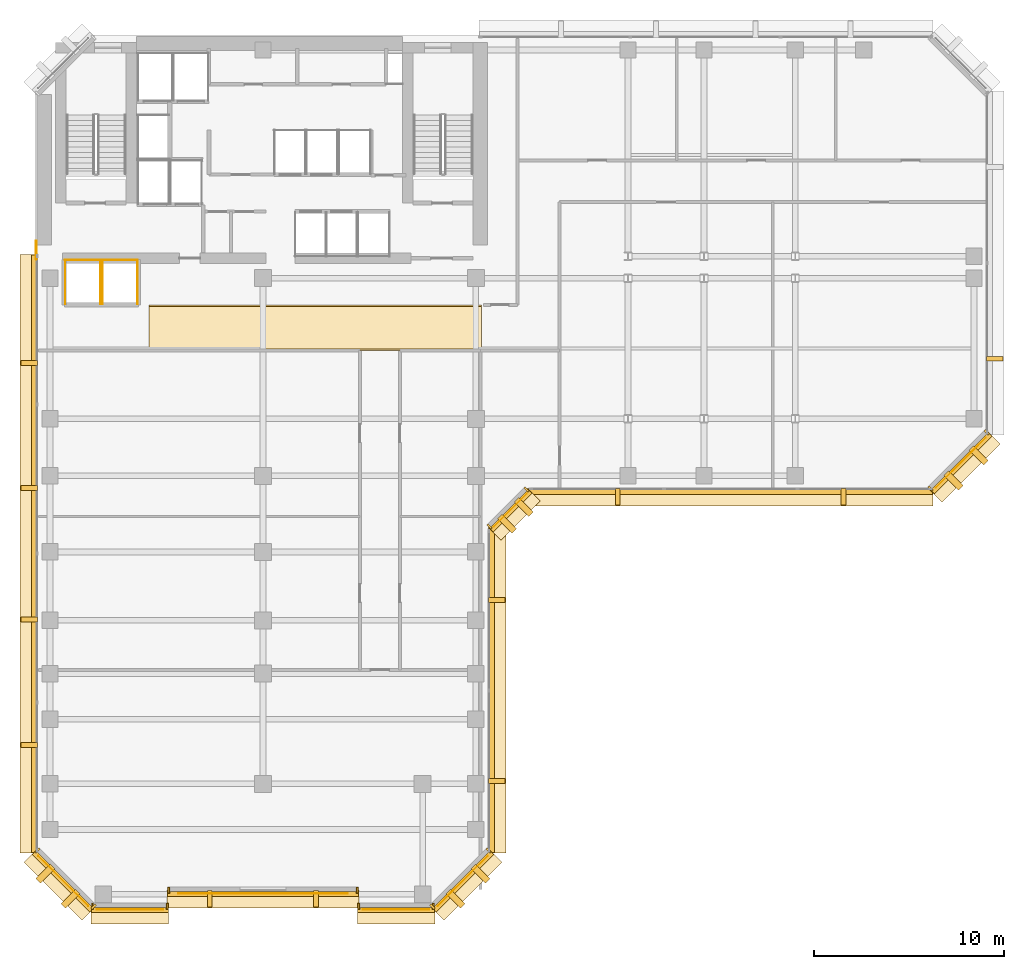
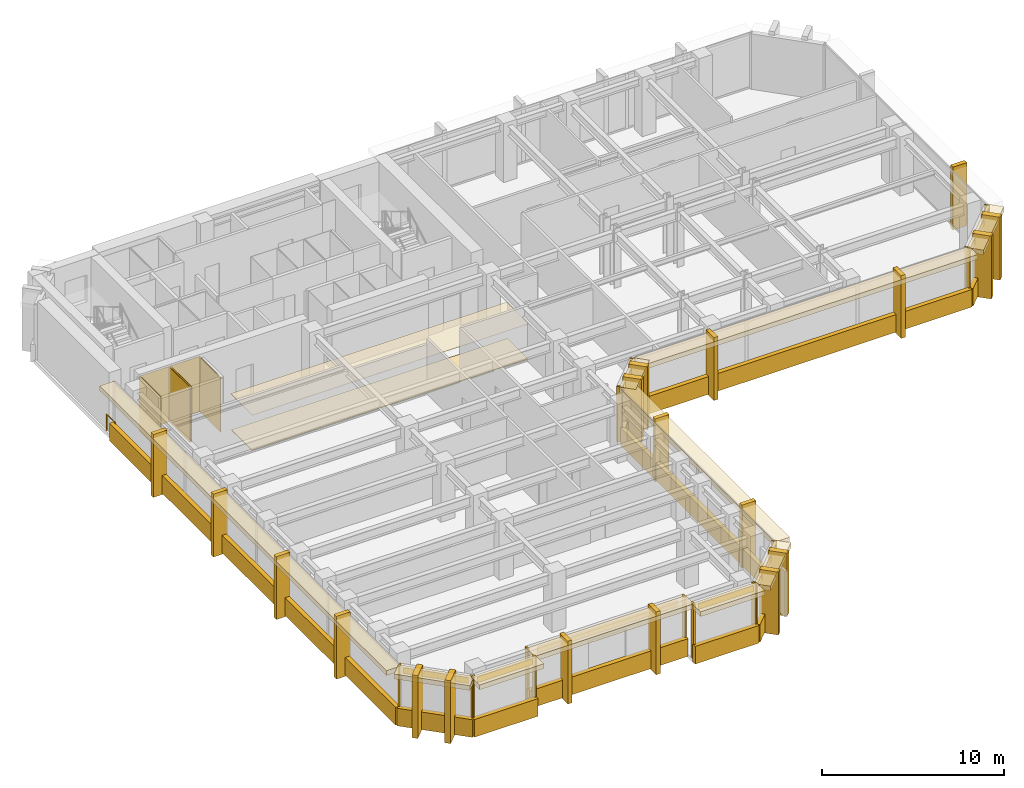
# One storey, part 9 of 11: 68 coverings, 1 railing.
"""IFC4 building model written with IfcOpenShell, lengths in metres."""

from ifc_helpers import new_model, si_unit, direction, frame, origin, origin_2d, place, context, subcontext, project, spatial, polyline, rectangle, circle, outline, extrude, material, layer, layer_set, type_object, element, save


model = new_model("IFC4")

# Units and contexts
model_context = context("Model", 3, precision=1e-05, world=origin(), true_north=direction((0.0, 1.0)))
body_context = subcontext(model_context, "Body", "Model", "MODEL_VIEW")
ifc_project = project(units=[si_unit("LENGTHUNIT", "METRE"), si_unit("AREAUNIT", "SQUARE_METRE"), si_unit("VOLUMEUNIT", "CUBIC_METRE"), si_unit("PLANEANGLEUNIT", "RADIAN"), si_unit("MASSUNIT", "GRAM", prefix="KILO")], contexts=[model_context])

# Site, building, storey
site_placement = place(None, origin())
site = spatial("IfcSite", under=ifc_project, at=site_placement, CompositionType="ELEMENT")
building_placement = place(site_placement, origin())
building = spatial("IfcBuilding", under=site, at=building_placement, Name="Kefirva Bronze Tower", CompositionType="ELEMENT")
storey_placement = place(building_placement, frame((0.0, 0.0, 183.47998046875)))
storey = spatial("IfcBuildingStorey", under=building, at=storey_placement, Name="L44", CompositionType="ELEMENT", Elevation=183.47998046875)

# Coverings
ifc_material_1 = material(Name="Acoustic mineral tile")
ifc_layer_1 = layer(ifc_material_1, 0.02490234375, Name="Acoustic mineral tile")
ifc_layer_set_1 = layer_set([ifc_layer_1], Name="Acoustic mineral tile")
covering_type_1 = type_object("IfcCoveringType", Name="Acoustic Mineral Suspended Ceiling 25mm", PredefinedType="CEILING", material=ifc_layer_set_1)
covering_1_placement = place(storey_placement, frame((0.0, 0.0, 2.39990234375)))
element("IfcCovering", 1, at=covering_1_placement, inside=storey, type_object=covering_type_1, Name="L44 Corridor Acoustic Ceiling", PredefinedType="CEILING", context=body_context, shape_type="SweptSolid", body=[
    extrude(outline(polyline([(6.0, 29.39990234375), (23.5, 29.39990234375), (23.5, 31.800048828125), (6.0, 31.800048828125), (6.0, 29.39990234375)])), origin(), (0.0, 0.0, 1.0), 0.025146484375),
])
ifc_material_2 = material(Name="Bronze anodised aluminium", Category="aluminium")
ifc_layer_2 = layer(ifc_material_2, 0.02001953125, Name="Bronze anodised aluminium")
ifc_layer_set_2 = layer_set([ifc_layer_2], Name="Bronze anodised aluminium")
covering_type_2 = type_object("IfcCoveringType", Name="Anodised Bronze Spandrel Cladding 20mm", PredefinedType="CLADDING", material=ifc_layer_set_2)
covering_2_placement = place(storey_placement, frame((5.0, -0.010009765625, 3.2900390625), z_axis=(0.0, 0.0, 1.0), x_axis=(1.0, 0.0, 0.0)))
element("IfcCovering", 2, at=covering_2_placement, inside=storey, type_object=covering_type_2, Name="L44 Bronze Spandrel Cladding 1", PredefinedType="CLADDING", context=body_context, shape_type="SweptSolid", body=[
    extrude(rectangle(XDim=3.5009765625, YDim=0.02001953125, at=origin_2d()), origin(), (0.0, 0.0, 1.0), 0.39990234375),
])
for number, where, z_axis, x_axis, name in (
    (3, (3.034912109375, 0.159912109375, 0.0), (0.0, 0.0, 1.0), (1.0, 0.0, 0.0), "L44 Facade Joint Closure Panel 1S"),
    (4, (6.965087890625, 0.159912109375, 0.0), (0.0, 0.0, 1.0), (1.0, 0.0, 0.0), "L44 Facade Joint Closure Panel 1E"),
):
    element("IfcCovering", number, at=place(storey_placement, frame(where, z_axis=z_axis, x_axis=x_axis)), inside=storey, type_object=covering_type_2, Name=name, PredefinedType="CLADDING", context=body_context, shape_type="SweptSolid", body=[
        extrude(rectangle(XDim=0.10009765625, YDim=0.320068359375, at=origin_2d()), origin(), (0.0, 0.0, 1.0), 3.7099609375),
    ])
covering_3_placement = place(storey_placement, frame((5.0, -0.0400390625, -0.16015625), z_axis=(0.0, 0.0, 1.0), x_axis=(1.0, 0.0, 0.0)))
element("IfcCovering", 5, at=covering_3_placement, inside=storey, type_object=covering_type_2, Name="L44 Streamline Horizontal Spandrel Band 0", PredefinedType="CLADDING", context=body_context, shape_type="SweptSolid", body=[
    extrude(rectangle(XDim=4.0400390625, YDim=0.280029296875, at=origin_2d()), origin(), (0.0, 0.0, 1.0), 1.179931640625),
])
covering_4_placement = place(storey_placement, frame((12.0, 0.840087890625, 3.2900390625), z_axis=(0.0, 0.0, 1.0), x_axis=(1.0, 0.0, 0.0)))
element("IfcCovering", 6, at=covering_4_placement, inside=storey, type_object=covering_type_2, Name="L44 Bronze Spandrel Cladding 2", PredefinedType="CLADDING", context=body_context, shape_type="SweptSolid", body=[
    extrude(rectangle(XDim=8.90087890625, YDim=0.02001953125, at=origin_2d()), origin(), (0.0, 0.0, 1.0), 0.39990234375),
])
for number, where, z_axis, x_axis, name in (
    (7, (7.034912109375, 1.010009765625, 0.0), (0.0, 0.0, 1.0), (1.0, 0.0, 0.0), "L44 Facade Joint Closure Panel 2S"),
    (8, (16.965087890625, 1.010009765625, 0.0), (0.0, 0.0, 1.0), (1.0, 0.0, 0.0), "L44 Facade Joint Closure Panel 2E"),
):
    element("IfcCovering", number, at=place(storey_placement, frame(where, z_axis=z_axis, x_axis=x_axis)), inside=storey, type_object=covering_type_2, Name=name, PredefinedType="CLADDING", context=body_context, shape_type="SweptSolid", body=[
        extrude(rectangle(XDim=0.10009765625, YDim=0.320068359375, at=origin_2d()), origin(), (0.0, 0.0, 1.0), 3.7099609375),
    ])
covering_5_placement = place(storey_placement, frame((12.0, 0.81005859375, -0.16015625), z_axis=(0.0, 0.0, 1.0), x_axis=(1.0, 0.0, 0.0)))
element("IfcCovering", 9, at=covering_5_placement, inside=storey, type_object=covering_type_2, Name="L44 Streamline Horizontal Spandrel Band 2", PredefinedType="CLADDING", context=body_context, shape_type="SweptSolid", body=[
    extrude(rectangle(XDim=10.0400390625, YDim=0.280029296875, at=origin_2d()), origin(), (0.0, 0.0, 1.0), 1.179931640625),
])
covering_6_placement = place(storey_placement, frame((19.0, -0.010009765625, 3.2900390625), z_axis=(0.0, 0.0, 1.0), x_axis=(1.0, 0.0, 0.0)))
element("IfcCovering", 10, at=covering_6_placement, inside=storey, type_object=covering_type_2, Name="L44 Bronze Spandrel Cladding 3", PredefinedType="CLADDING", context=body_context, shape_type="SweptSolid", body=[
    extrude(rectangle(XDim=3.5009765625, YDim=0.02001953125, at=origin_2d()), origin(), (0.0, 0.0, 1.0), 0.39990234375),
])
for number, where, z_axis, x_axis, name in (
    (11, (17.034912109375, 0.159912109375, 0.0), (0.0, 0.0, 1.0), (1.0, 0.0, 0.0), "L44 Facade Joint Closure Panel 3S"),
    (12, (20.965087890625, 0.159912109375, 0.0), (0.0, 0.0, 1.0), (1.0, 0.0, 0.0), "L44 Facade Joint Closure Panel 3E"),
):
    element("IfcCovering", number, at=place(storey_placement, frame(where, z_axis=z_axis, x_axis=x_axis)), inside=storey, type_object=covering_type_2, Name=name, PredefinedType="CLADDING", context=body_context, shape_type="SweptSolid", body=[
        extrude(rectangle(XDim=0.10009765625, YDim=0.320068359375, at=origin_2d()), origin(), (0.0, 0.0, 1.0), 3.7099609375),
    ])
covering_7_placement = place(storey_placement, frame((19.0, -0.0400390625, -0.16015625), z_axis=(0.0, 0.0, 1.0), x_axis=(1.0, 0.0, 0.0)))
element("IfcCovering", 13, at=covering_7_placement, inside=storey, type_object=covering_type_2, Name="L44 Streamline Horizontal Spandrel Band 4", PredefinedType="CLADDING", context=body_context, shape_type="SweptSolid", body=[
    extrude(rectangle(XDim=4.0400390625, YDim=0.280029296875, at=origin_2d()), origin(), (0.0, 0.0, 1.0), 1.179931640625),
])
covering_8_placement = place(storey_placement, frame((22.507080078125, 1.492919921875, 3.2900390625), z_axis=(0.0, 0.0, 1.0), x_axis=(0.707106781187, 0.707106781187, 0.0)))
element("IfcCovering", 14, at=covering_8_placement, inside=storey, type_object=covering_type_2, Name="L44 Bronze Spandrel Cladding 4", PredefinedType="CLADDING", context=body_context, shape_type="SweptSolid", body=[
    extrude(rectangle(XDim=3.719482421875, YDim=0.02001953125, at=origin_2d()), origin(), (0.0, 0.0, 1.0), 0.39990234375),
])
for number, where, z_axis, x_axis, name in (
    (15, (20.91162109375, 0.137939453125, 0.0), (0.0, 0.0, 1.0), (0.707106781187, 0.707106781187, 0.0), "L44 Facade Joint Closure Panel 4S"),
    (16, (23.862060546875, 3.08837890625, 0.0), (0.0, 0.0, 1.0), (0.707106781187, 0.707106781187, 0.0), "L44 Facade Joint Closure Panel 4E"),
):
    element("IfcCovering", number, at=place(storey_placement, frame(where, z_axis=z_axis, x_axis=x_axis)), inside=storey, type_object=covering_type_2, Name=name, PredefinedType="CLADDING", context=body_context, shape_type="SweptSolid", body=[
        extrude(rectangle(XDim=0.10009765625, YDim=0.320068359375, at=origin_2d()), origin(), (0.0, 0.0, 1.0), 3.7099609375),
    ])
covering_9_placement = place(storey_placement, frame((22.5283203125, 1.4716796875, -0.16015625), z_axis=(0.0, 0.0, 1.0), x_axis=(0.707106781187, 0.707106781187, 0.0)))
element("IfcCovering", 17, at=covering_9_placement, inside=storey, type_object=covering_type_2, Name="L44 Streamline Horizontal Spandrel Band 5", PredefinedType="CLADDING", context=body_context, shape_type="SweptSolid", body=[
    extrude(rectangle(XDim=4.28271484375, YDim=0.280029296875, at=origin_2d()), origin(), (0.0, 0.0, 1.0), 1.179931640625),
])
covering_10_placement = place(storey_placement, frame((24.0400390625, 11.5, -0.16015625), z_axis=(0.0, 0.0, 1.0), x_axis=(0.0, 1.0, 0.0)))
element("IfcCovering", 18, at=covering_10_placement, inside=storey, type_object=covering_type_2, Name="L44 Streamline Horizontal Spandrel Band 6", PredefinedType="CLADDING", context=body_context, shape_type="SweptSolid", body=[
    extrude(rectangle(XDim=17.0400390625, YDim=0.280029296875, at=origin_2d()), origin(), (0.0, 0.0, 1.0), 1.179931640625),
])
covering_11_placement = place(storey_placement, frame((25.007080078125, 20.992919921875, 3.2900390625), z_axis=(0.0, 0.0, 1.0), x_axis=(0.707106781187, 0.707106781187, 0.0)))
element("IfcCovering", 19, at=covering_11_placement, inside=storey, type_object=covering_type_2, Name="L44 Bronze Spandrel Cladding 5", PredefinedType="CLADDING", context=body_context, shape_type="SweptSolid", body=[
    extrude(rectangle(XDim=2.446533203125, YDim=0.02001953125, at=origin_2d()), origin(), (0.0, 0.0, 1.0), 0.39990234375),
])
for number, where, z_axis, x_axis, name in (
    (20, (23.91162109375, 20.137939453125, 0.0), (0.0, 0.0, 1.0), (0.707106781187, 0.707106781187, 0.0), "L44 Facade Joint Closure Panel 5S"),
    (21, (25.862060546875, 22.08837890625, 0.0), (0.0, 0.0, 1.0), (0.707106781187, 0.707106781187, 0.0), "L44 Facade Joint Closure Panel 5E"),
):
    element("IfcCovering", number, at=place(storey_placement, frame(where, z_axis=z_axis, x_axis=x_axis)), inside=storey, type_object=covering_type_2, Name=name, PredefinedType="CLADDING", context=body_context, shape_type="SweptSolid", body=[
        extrude(rectangle(XDim=0.10009765625, YDim=0.320068359375, at=origin_2d()), origin(), (0.0, 0.0, 1.0), 3.7099609375),
    ])
covering_12_placement = place(storey_placement, frame((25.0283203125, 20.9716796875, -0.16015625), z_axis=(0.0, 0.0, 1.0), x_axis=(0.707106781187, 0.707106781187, 0.0)))
element("IfcCovering", 22, at=covering_12_placement, inside=storey, type_object=covering_type_2, Name="L44 Streamline Horizontal Spandrel Band 7", PredefinedType="CLADDING", context=body_context, shape_type="SweptSolid", body=[
    extrude(rectangle(XDim=2.868408203125, YDim=0.280029296875, at=origin_2d()), origin(), (0.0, 0.0, 1.0), 1.179931640625),
])
covering_13_placement = place(storey_placement, frame((36.60009765625, 21.9599609375, -0.16015625), z_axis=(0.0, 0.0, 1.0), x_axis=(1.0, 0.0, 0.0)))
element("IfcCovering", 23, at=covering_13_placement, inside=storey, type_object=covering_type_2, Name="L44 Streamline Horizontal Spandrel Band 8", PredefinedType="CLADDING", context=body_context, shape_type="SweptSolid", body=[
    extrude(rectangle(XDim=21.239990234375, YDim=0.280029296875, at=origin_2d()), origin(), (0.0, 0.0, 1.0), 1.179931640625),
])
covering_14_placement = place(storey_placement, frame((48.70703125, 23.492919921875, 3.2900390625), z_axis=(0.0, 0.0, 1.0), x_axis=(0.707106781187, 0.707106781187, 0.0)))
element("IfcCovering", 24, at=covering_14_placement, inside=storey, type_object=covering_type_2, Name="L44 Bronze Spandrel Cladding 6", PredefinedType="CLADDING", context=body_context, shape_type="SweptSolid", body=[
    extrude(rectangle(XDim=3.719482421875, YDim=0.02001953125, at=origin_2d()), origin(), (0.0, 0.0, 1.0), 0.39990234375),
])
for number, where, z_axis, x_axis, name in (
    (25, (47.11181640625, 22.137939453125, 0.0), (0.0, 0.0, 1.0), (0.707106781187, 0.707106781187, 0.0), "L44 Facade Joint Closure Panel 6S"),
    (26, (50.06201171875, 25.08837890625, 0.0), (0.0, 0.0, 1.0), (0.707106781187, 0.707106781187, 0.0), "L44 Facade Joint Closure Panel 6E"),
):
    element("IfcCovering", number, at=place(storey_placement, frame(where, z_axis=z_axis, x_axis=x_axis)), inside=storey, type_object=covering_type_2, Name=name, PredefinedType="CLADDING", context=body_context, shape_type="SweptSolid", body=[
        extrude(rectangle(XDim=0.10009765625, YDim=0.320068359375, at=origin_2d()), origin(), (0.0, 0.0, 1.0), 3.7099609375),
    ])
covering_15_placement = place(storey_placement, frame((48.728271484375, 23.4716796875, -0.16015625), z_axis=(0.0, 0.0, 1.0), x_axis=(0.707106781187, 0.707106781187, 0.0)))
element("IfcCovering", 27, at=covering_15_placement, inside=storey, type_object=covering_type_2, Name="L44 Streamline Horizontal Spandrel Band 9", PredefinedType="CLADDING", context=body_context, shape_type="SweptSolid", body=[
    extrude(rectangle(XDim=4.28271484375, YDim=0.280029296875, at=origin_2d()), origin(), (0.0, 0.0, 1.0), 1.179931640625),
])
covering_16_placement = place(storey_placement, frame((-0.0400390625, 18.697509765625, -0.16015625), z_axis=(0.0, 0.0, 1.0), x_axis=(0.0, -1.0, 0.0)))
element("IfcCovering", 28, at=covering_16_placement, inside=storey, type_object=covering_type_2, Name="L44 Streamline Horizontal Spandrel Band 14", PredefinedType="CLADDING", context=body_context, shape_type="SweptSolid", body=[
    extrude(rectangle(XDim=31.43505859375, YDim=0.280029296875, at=origin_2d()), origin(), (0.0, 0.0, 1.0), 1.179931640625),
])
covering_17_placement = place(storey_placement, frame((1.492919921875, 1.492919921875, 3.2900390625), z_axis=(0.0, 0.0, 1.0), x_axis=(0.707106781187, -0.707106781187, 0.0)))
element("IfcCovering", 29, at=covering_17_placement, inside=storey, type_object=covering_type_2, Name="L44 Bronze Spandrel Cladding 9", PredefinedType="CLADDING", context=body_context, shape_type="SweptSolid", body=[
    extrude(rectangle(XDim=3.719482421875, YDim=0.02001953125, at=origin_2d()), origin(), (0.0, 0.0, 1.0), 0.39990234375),
])
for number, where, z_axis, x_axis, name in (
    (30, (0.137939453125, 3.08837890625, 0.0), (0.0, 0.0, 1.0), (0.707106781187, -0.707106781187, 0.0), "L44 Facade Joint Closure Panel 9S"),
    (31, (3.08837890625, 0.137939453125, 0.0), (0.0, 0.0, 1.0), (0.707106781187, -0.707106781187, 0.0), "L44 Facade Joint Closure Panel 9E"),
):
    element("IfcCovering", number, at=place(storey_placement, frame(where, z_axis=z_axis, x_axis=x_axis)), inside=storey, type_object=covering_type_2, Name=name, PredefinedType="CLADDING", context=body_context, shape_type="SweptSolid", body=[
        extrude(rectangle(XDim=0.10009765625, YDim=0.320068359375, at=origin_2d()), origin(), (0.0, 0.0, 1.0), 3.7099609375),
    ])
covering_18_placement = place(storey_placement, frame((1.4716796875, 1.4716796875, -0.16015625), z_axis=(0.0, 0.0, 1.0), x_axis=(0.707106781187, -0.707106781187, 0.0)))
element("IfcCovering", 32, at=covering_18_placement, inside=storey, type_object=covering_type_2, Name="L44 Streamline Horizontal Spandrel Band 15", PredefinedType="CLADDING", context=body_context, shape_type="SweptSolid", body=[
    extrude(rectangle(XDim=4.28271484375, YDim=0.280029296875, at=origin_2d()), origin(), (0.0, 0.0, 1.0), 1.179931640625),
])
covering_19_placement = place(storey_placement, origin())
element("IfcCovering", 33, at=covering_19_placement, inside=storey, type_object=covering_type_2, Name="L44 Lift OB1 Hoistway Liner N", PredefinedType="CLADDING", context=body_context, shape_type="SweptSolid", body=[
    extrude(outline(polyline([(1.580078125, 34.139892578125), (3.469970703125, 34.139892578125), (3.469970703125, 34.159912109375), (1.580078125, 34.159912109375), (1.580078125, 34.139892578125)])), origin(), (0.0, 0.0, 1.0), 3.7099609375),
])
covering_20_placement = place(storey_placement, origin())
element("IfcCovering", 34, at=covering_20_placement, inside=storey, type_object=covering_type_2, Name="L44 Lift OB1 Hoistway Liner W", PredefinedType="CLADDING", context=body_context, shape_type="SweptSolid", body=[
    extrude(outline(polyline([(1.590087890625, 31.830078125), (1.610107421875, 31.830078125), (1.610107421875, 34.169921875), (1.590087890625, 34.169921875), (1.590087890625, 31.830078125)])), origin(), (0.0, 0.0, 1.0), 3.7099609375),
])
covering_21_placement = place(storey_placement, origin())
element("IfcCovering", 35, at=covering_21_placement, inside=storey, type_object=covering_type_2, Name="L44 Lift OB1 Hoistway Liner E", PredefinedType="CLADDING", context=body_context, shape_type="SweptSolid", body=[
    extrude(outline(polyline([(3.43994140625, 31.830078125), (3.4599609375, 31.830078125), (3.4599609375, 34.169921875), (3.43994140625, 34.169921875), (3.43994140625, 31.830078125)])), origin(), (0.0, 0.0, 1.0), 3.7099609375),
])
covering_22_placement = place(storey_placement, origin())
element("IfcCovering", 36, at=covering_22_placement, inside=storey, type_object=covering_type_2, Name="L44 Lift OB2 Hoistway Liner N", PredefinedType="CLADDING", context=body_context, shape_type="SweptSolid", body=[
    extrude(outline(polyline([(3.530029296875, 34.139892578125), (5.419921875, 34.139892578125), (5.419921875, 34.159912109375), (3.530029296875, 34.159912109375), (3.530029296875, 34.139892578125)])), origin(), (0.0, 0.0, 1.0), 3.7099609375),
])
covering_23_placement = place(storey_placement, origin())
element("IfcCovering", 37, at=covering_23_placement, inside=storey, type_object=covering_type_2, Name="L44 Lift OB2 Hoistway Liner W", PredefinedType="CLADDING", context=body_context, shape_type="SweptSolid", body=[
    extrude(outline(polyline([(3.5400390625, 31.830078125), (3.56005859375, 31.830078125), (3.56005859375, 34.169921875), (3.5400390625, 34.169921875), (3.5400390625, 31.830078125)])), origin(), (0.0, 0.0, 1.0), 3.7099609375),
])
covering_24_placement = place(storey_placement, origin())
element("IfcCovering", 38, at=covering_24_placement, inside=storey, type_object=covering_type_2, Name="L44 Lift OB2 Hoistway Liner E", PredefinedType="CLADDING", context=body_context, shape_type="SweptSolid", body=[
    extrude(outline(polyline([(5.389892578125, 31.830078125), (5.409912109375, 31.830078125), (5.409912109375, 34.169921875), (5.389892578125, 34.169921875), (5.389892578125, 31.830078125)])), origin(), (0.0, 0.0, 1.0), 3.7099609375),
])

# Railing
ifc_material_3 = material(Name="Stainless steel 316", Category="steel")
railing_type = type_object("IfcRailingType", Name="Interior Stair Guardrail 1100mm", PredefinedType="GUARDRAIL", material=ifc_material_3)
railing_placement = place(storey_placement, frame((0.080078125, 34.199951171875, 0.0)))
element("IfcRailing", 39, at=railing_placement, inside=storey, type_object=railing_type, Name="L44 West Core Junction Guardrail", PredefinedType="GUARDRAIL", context=body_context, shape_type="SweptSolid", body=[
    extrude(circle(Radius=0.02392578125, at=origin_2d()), frame((0.0, 0.0, 1.076171875), z_axis=(0.0, 1.0, 0.0), x_axis=(-1.0, 0.0, 0.0)), (0.0, 0.0, 1.0), 0.949951171875),
    extrude(circle(Radius=0.02099609375, at=origin_2d()), origin(), (0.0, 0.0, 1.0), 1.052001953125),
    extrude(circle(Radius=0.02099609375, at=origin_2d()), frame((0.0, 0.949951171875, 0.0)), (0.0, 0.0, 1.0), 1.052001953125),
])

# Coverings
ifc_material_4 = material(Name="Calcium sulphate access tile")
ifc_layer_3 = layer(ifc_material_4, 0.044921875, Name="Calcium sulphate access tile")
ifc_layer_set_3 = layer_set([ifc_layer_3], Name="Calcium sulphate access tile")
covering_type_3 = type_object("IfcCoveringType", Name="Raised Access Office Flooring 45mm", PredefinedType="FLOORING", material=ifc_layer_set_3)
covering_25_placement = place(storey_placement, origin())
element("IfcCovering", 40, at=covering_25_placement, inside=storey, type_object=covering_type_3, Name="L44 Architectural Finish Flooring", PredefinedType="FLOORING", context=body_context, shape_type="SweptSolid", body=[
    extrude(outline(polyline([(6.0, 29.47998046875), (23.5, 29.47998046875), (23.5, 31.719970703125), (6.0, 31.719970703125), (6.0, 29.47998046875)])), origin(), (0.0, 0.0, 1.0), 0.044921875),
])
ifc_layer_4 = layer(ifc_material_2, 0.179931640625, Name="Bronze anodised aluminium")
ifc_layer_set_4 = layer_set([ifc_layer_4], Name="Bronze anodised aluminium")
covering_type_4 = type_object("IfcCoveringType", Name="Streamline Bronze Sunshade Eyebrow Cladding 180mm", PredefinedType="CLADDING", material=ifc_layer_set_4)
covering_26_placement = place(storey_placement, frame((5.0, -0.31005859375, 3.39013671875), z_axis=(0.0, 0.0, 1.0), x_axis=(1.0, 0.0, 0.0)))
element("IfcCovering", 41, at=covering_26_placement, inside=storey, type_object=covering_type_4, Name="L44 Streamline Bronze Sunshade Eyebrow 0", PredefinedType="CLADDING", context=body_context, shape_type="SweptSolid", body=[
    extrude(rectangle(XDim=4.080078125, YDim=0.93994140625, at=origin_2d()), origin(), (0.0, 0.0, 1.0), 0.320068359375),
])
covering_27_placement = place(storey_placement, frame((12.0, 0.5400390625, 3.39013671875), z_axis=(0.0, 0.0, 1.0), x_axis=(1.0, 0.0, 0.0)))
element("IfcCovering", 42, at=covering_27_placement, inside=storey, type_object=covering_type_4, Name="L44 Streamline Bronze Sunshade Eyebrow 2", PredefinedType="CLADDING", context=body_context, shape_type="SweptSolid", body=[
    extrude(rectangle(XDim=10.080078125, YDim=0.93994140625, at=origin_2d()), origin(), (0.0, 0.0, 1.0), 0.320068359375),
])
covering_28_placement = place(storey_placement, frame((19.0, -0.31005859375, 3.39013671875), z_axis=(0.0, 0.0, 1.0), x_axis=(1.0, 0.0, 0.0)))
element("IfcCovering", 43, at=covering_28_placement, inside=storey, type_object=covering_type_4, Name="L44 Streamline Bronze Sunshade Eyebrow 4", PredefinedType="CLADDING", context=body_context, shape_type="SweptSolid", body=[
    extrude(rectangle(XDim=4.080078125, YDim=0.93994140625, at=origin_2d()), origin(), (0.0, 0.0, 1.0), 0.320068359375),
])
covering_29_placement = place(storey_placement, frame((22.71923828125, 1.28076171875, 3.39013671875), z_axis=(0.0, 0.0, 1.0), x_axis=(0.707106781187, 0.707106781187, 0.0)))
element("IfcCovering", 44, at=covering_29_placement, inside=storey, type_object=covering_type_4, Name="L44 Streamline Bronze Sunshade Eyebrow 5", PredefinedType="CLADDING", context=body_context, shape_type="SweptSolid", body=[
    extrude(rectangle(XDim=4.322509765625, YDim=0.93994140625, at=origin_2d()), origin(), (0.0, 0.0, 1.0), 0.320068359375),
])
covering_30_placement = place(storey_placement, frame((24.31005859375, 11.5, 3.39013671875), z_axis=(0.0, 0.0, 1.0), x_axis=(0.0, 1.0, 0.0)))
element("IfcCovering", 45, at=covering_30_placement, inside=storey, type_object=covering_type_4, Name="L44 Streamline Bronze Sunshade Eyebrow 6", PredefinedType="CLADDING", context=body_context, shape_type="SweptSolid", body=[
    extrude(rectangle(XDim=17.080078125, YDim=0.93994140625, at=origin_2d()), origin(), (0.0, 0.0, 1.0), 0.320068359375),
])
covering_31_placement = place(storey_placement, frame((25.21923828125, 20.78076171875, 3.39013671875), z_axis=(0.0, 0.0, 1.0), x_axis=(0.707106781187, 0.707106781187, 0.0)))
element("IfcCovering", 46, at=covering_31_placement, inside=storey, type_object=covering_type_4, Name="L44 Streamline Bronze Sunshade Eyebrow 7", PredefinedType="CLADDING", context=body_context, shape_type="SweptSolid", body=[
    extrude(rectangle(XDim=2.908447265625, YDim=0.93994140625, at=origin_2d()), origin(), (0.0, 0.0, 1.0), 0.320068359375),
])
covering_32_placement = place(storey_placement, frame((36.60009765625, 21.68994140625, 3.39013671875), z_axis=(0.0, 0.0, 1.0), x_axis=(1.0, 0.0, 0.0)))
element("IfcCovering", 47, at=covering_32_placement, inside=storey, type_object=covering_type_4, Name="L44 Streamline Bronze Sunshade Eyebrow 8", PredefinedType="CLADDING", context=body_context, shape_type="SweptSolid", body=[
    extrude(rectangle(XDim=21.280029296875, YDim=0.93994140625, at=origin_2d()), origin(), (0.0, 0.0, 1.0), 0.320068359375),
])
covering_33_placement = place(storey_placement, frame((48.919189453125, 23.28076171875, 3.39013671875), z_axis=(0.0, 0.0, 1.0), x_axis=(0.707106781187, 0.707106781187, 0.0)))
element("IfcCovering", 48, at=covering_33_placement, inside=storey, type_object=covering_type_4, Name="L44 Streamline Bronze Sunshade Eyebrow 9", PredefinedType="CLADDING", context=body_context, shape_type="SweptSolid", body=[
    extrude(rectangle(XDim=4.322509765625, YDim=0.93994140625, at=origin_2d()), origin(), (0.0, 0.0, 1.0), 0.320068359375),
])
covering_34_placement = place(storey_placement, frame((-0.31005859375, 18.697509765625, 3.39013671875), z_axis=(0.0, 0.0, 1.0), x_axis=(0.0, -1.0, 0.0)))
element("IfcCovering", 49, at=covering_34_placement, inside=storey, type_object=covering_type_4, Name="L44 Streamline Bronze Sunshade Eyebrow 14", PredefinedType="CLADDING", context=body_context, shape_type="SweptSolid", body=[
    extrude(rectangle(XDim=31.47509765625, YDim=0.93994140625, at=origin_2d()), origin(), (0.0, 0.0, 1.0), 0.320068359375),
])
covering_35_placement = place(storey_placement, frame((1.28076171875, 1.28076171875, 3.39013671875), z_axis=(0.0, 0.0, 1.0), x_axis=(0.707106781187, -0.707106781187, 0.0)))
element("IfcCovering", 50, at=covering_35_placement, inside=storey, type_object=covering_type_4, Name="L44 Streamline Bronze Sunshade Eyebrow 15", PredefinedType="CLADDING", context=body_context, shape_type="SweptSolid", body=[
    extrude(rectangle(XDim=4.322509765625, YDim=0.93994140625, at=origin_2d()), origin(), (0.0, 0.0, 1.0), 0.320068359375),
])
ifc_layer_5 = layer(ifc_material_2, 0.260009765625, Name="Bronze anodised aluminium")
ifc_layer_set_5 = layer_set([ifc_layer_5], Name="Bronze anodised aluminium")
covering_type_5 = type_object("IfcCoveringType", Name="Unbroken Bronze Buttress Fin Cladding 260mm", PredefinedType="CLADDING", material=ifc_layer_set_5)
for number, where, z_axis, x_axis, name in (
    (51, (9.199951171875, 0.550048828125, -0.25), (0.0, 0.0, 1.0), (1.0, 0.0, 0.0), "L44 Unbroken Vertical Bronze Rib Fin 1"),
    (52, (14.800048828125, 0.550048828125, -0.25), (0.0, 0.0, 1.0), (1.0, 0.0, 0.0), "L44 Unbroken Vertical Bronze Rib Fin 2"),
):
    element("IfcCovering", number, at=place(storey_placement, frame(where, z_axis=z_axis, x_axis=x_axis)), inside=storey, type_object=covering_type_5, Name=name, PredefinedType="CLADDING", context=body_context, shape_type="SweptSolid", body=[
        extrude(rectangle(XDim=0.260009765625, YDim=0.8798828125, at=origin_2d()), origin(), (0.0, 0.0, 1.0), 4.2099609375),
    ])
for number, where, z_axis, x_axis, name in (
    (53, (22.122802734375, 0.55712890625, -0.25), (0.0, 0.0, 1.0), (0.707106781187, 0.707106781187, 0.0), "L44 Chamfered Corner Buttress Fin Cladding 3"),
    (54, (23.44287109375, 1.877197265625, -0.25), (0.0, 0.0, 1.0), (0.707106781187, 0.707106781187, 0.0), "L44 Chamfered Corner Buttress Fin Cladding 4"),
):
    element("IfcCovering", number, at=place(storey_placement, frame(where, z_axis=z_axis, x_axis=x_axis)), inside=storey, type_object=covering_type_5, Name=name, PredefinedType="CLADDING", context=body_context, shape_type="SweptSolid", body=[
        extrude(rectangle(XDim=0.340087890625, YDim=1.080078125, at=origin_2d()), origin(), (0.0, 0.0, 1.0), 4.2099609375),
    ])
for number, where, z_axis, x_axis, name in (
    (55, (24.300048828125, 6.739990234375, -0.25), (0.0, 0.0, 1.0), (0.0, 1.0, 0.0), "L44 Unbroken Vertical Bronze Rib Fin 5"),
    (56, (24.300048828125, 16.260009765625, -0.25), (0.0, 0.0, 1.0), (0.0, 1.0, 0.0), "L44 Unbroken Vertical Bronze Rib Fin 6"),
):
    element("IfcCovering", number, at=place(storey_placement, frame(where, z_axis=z_axis, x_axis=x_axis)), inside=storey, type_object=covering_type_5, Name=name, PredefinedType="CLADDING", context=body_context, shape_type="SweptSolid", body=[
        extrude(rectangle(XDim=0.260009765625, YDim=0.8798828125, at=origin_2d()), origin(), (0.0, 0.0, 1.0), 4.2099609375),
    ])
for number, where, z_axis, x_axis, name in (
    (57, (24.8427734375, 20.277099609375, -0.25), (0.0, 0.0, 1.0), (0.707106781187, 0.707106781187, 0.0), "L44 Chamfered Corner Buttress Fin Cladding 7"),
    (58, (25.722900390625, 21.1572265625, -0.25), (0.0, 0.0, 1.0), (0.707106781187, 0.707106781187, 0.0), "L44 Chamfered Corner Buttress Fin Cladding 8"),
):
    element("IfcCovering", number, at=place(storey_placement, frame(where, z_axis=z_axis, x_axis=x_axis)), inside=storey, type_object=covering_type_5, Name=name, PredefinedType="CLADDING", context=body_context, shape_type="SweptSolid", body=[
        extrude(rectangle(XDim=0.340087890625, YDim=1.080078125, at=origin_2d()), origin(), (0.0, 0.0, 1.0), 4.2099609375),
    ])
for number, where, z_axis, x_axis, name in (
    (59, (30.6640625, 21.699951171875, -0.25), (0.0, 0.0, 1.0), (1.0, 0.0, 0.0), "L44 Unbroken Vertical Bronze Rib Fin 9"),
    (60, (42.535888671875, 21.699951171875, -0.25), (0.0, 0.0, 1.0), (1.0, 0.0, 0.0), "L44 Unbroken Vertical Bronze Rib Fin 10"),
):
    element("IfcCovering", number, at=place(storey_placement, frame(where, z_axis=z_axis, x_axis=x_axis)), inside=storey, type_object=covering_type_5, Name=name, PredefinedType="CLADDING", context=body_context, shape_type="SweptSolid", body=[
        extrude(rectangle(XDim=0.260009765625, YDim=0.8798828125, at=origin_2d()), origin(), (0.0, 0.0, 1.0), 4.2099609375),
    ])
for number, where, z_axis, x_axis, name in (
    (61, (48.32275390625, 22.55712890625, -0.25), (0.0, 0.0, 1.0), (0.707106781187, 0.707106781187, 0.0), "L44 Chamfered Corner Buttress Fin Cladding 11"),
    (62, (49.642822265625, 23.877197265625, -0.25), (0.0, 0.0, 1.0), (0.707106781187, 0.707106781187, 0.0), "L44 Chamfered Corner Buttress Fin Cladding 12"),
):
    element("IfcCovering", number, at=place(storey_placement, frame(where, z_axis=z_axis, x_axis=x_axis)), inside=storey, type_object=covering_type_5, Name=name, PredefinedType="CLADDING", context=body_context, shape_type="SweptSolid", body=[
        extrude(rectangle(XDim=0.340087890625, YDim=1.080078125, at=origin_2d()), origin(), (0.0, 0.0, 1.0), 4.2099609375),
    ])
for number, where, z_axis, x_axis, name in (
    (63, (50.5, 28.9599609375, -0.25), (0.0, 0.0, 1.0), (0.0, 1.0, 0.0), "L44 Unbroken Vertical Bronze Rib Fin 13"),
    (64, (-0.300048828125, 28.743896484375, -0.25), (0.0, 0.0, 1.0), (0.0, -1.0, 0.0), "L44 Unbroken Vertical Bronze Rib Fin 23"),
    (65, (-0.300048828125, 22.15087890625, -0.25), (0.0, 0.0, 1.0), (0.0, -1.0, 0.0), "L44 Unbroken Vertical Bronze Rib Fin 24"),
    (66, (-0.300048828125, 15.244140625, -0.25), (0.0, 0.0, 1.0), (0.0, -1.0, 0.0), "L44 Unbroken Vertical Bronze Rib Fin 25"),
    (67, (-0.300048828125, 8.651123046875, -0.25), (0.0, 0.0, 1.0), (0.0, -1.0, 0.0), "L44 Unbroken Vertical Bronze Rib Fin 26"),
):
    element("IfcCovering", number, at=place(storey_placement, frame(where, z_axis=z_axis, x_axis=x_axis)), inside=storey, type_object=covering_type_5, Name=name, PredefinedType="CLADDING", context=body_context, shape_type="SweptSolid", body=[
        extrude(rectangle(XDim=0.260009765625, YDim=0.8798828125, at=origin_2d()), origin(), (0.0, 0.0, 1.0), 4.2099609375),
    ])
for number, where, z_axis, x_axis, name in (
    (68, (0.55712890625, 1.877197265625, -0.25), (0.0, 0.0, 1.0), (0.707106781187, -0.707106781187, 0.0), "L44 Chamfered Corner Buttress Fin Cladding 27"),
    (69, (1.877197265625, 0.55712890625, -0.25), (0.0, 0.0, 1.0), (0.707106781187, -0.707106781187, 0.0), "L44 Chamfered Corner Buttress Fin Cladding 28"),
):
    element("IfcCovering", number, at=place(storey_placement, frame(where, z_axis=z_axis, x_axis=x_axis)), inside=storey, type_object=covering_type_5, Name=name, PredefinedType="CLADDING", context=body_context, shape_type="SweptSolid", body=[
        extrude(rectangle(XDim=0.340087890625, YDim=1.080078125, at=origin_2d()), origin(), (0.0, 0.0, 1.0), 4.2099609375),
    ])

save(model, "model.ifc")
